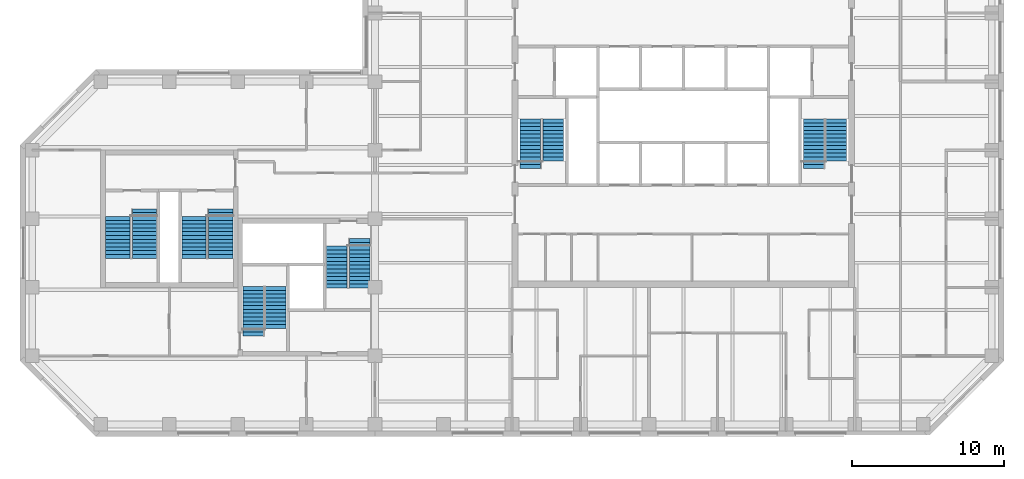
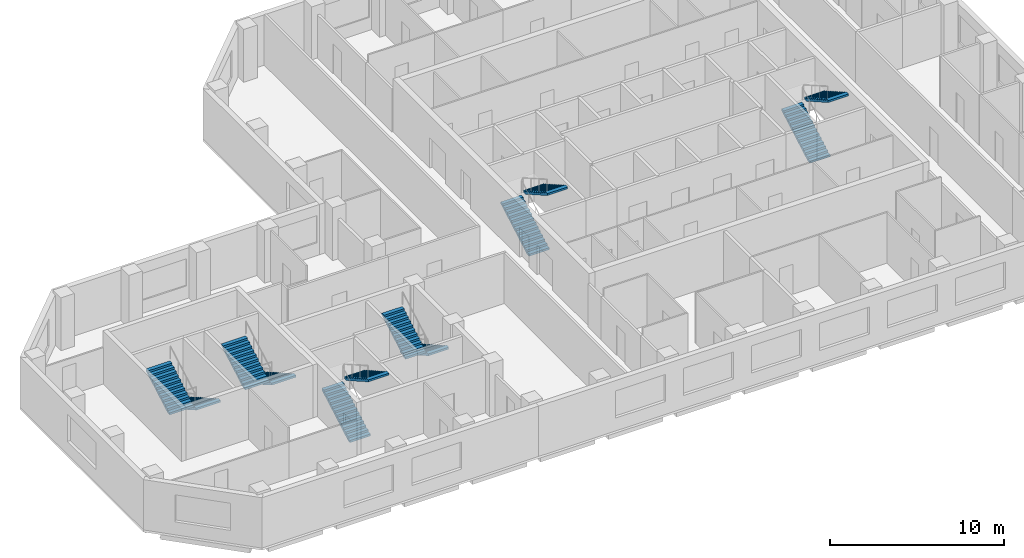
# One storey, part 8 of 9: 12 stair flights, 6 elements without a shape of their own.
"""IFC4 building model written with IfcOpenShell, lengths in metres."""

from ifc_helpers import new_model, si_unit, direction, frame, origin, place, context, subcontext, project, spatial, polyline, outline, extrude, material, type_object, element, aggregate, save


model = new_model("IFC4")

# Units and contexts
model_context = context("Model", 3, precision=1e-05, world=origin(), true_north=direction((0.0, 1.0)))
body_context = subcontext(model_context, "Body", "Model", "MODEL_VIEW")
ifc_project = project(units=[si_unit("LENGTHUNIT", "METRE"), si_unit("AREAUNIT", "SQUARE_METRE"), si_unit("VOLUMEUNIT", "CUBIC_METRE"), si_unit("PLANEANGLEUNIT", "RADIAN"), si_unit("MASSUNIT", "GRAM", prefix="KILO")], contexts=[model_context])

# Site, building, storey
site_placement = place(None, origin())
site = spatial("IfcSite", under=ifc_project, at=site_placement, CompositionType="ELEMENT")
building_placement = place(site_placement, origin())
building = spatial("IfcBuilding", under=site, at=building_placement, Name="Quoin Convention Tower", CompositionType="ELEMENT")
storey_placement = place(building_placement, frame((0.0, 0.0, 241.5)))
storey = spatial("IfcBuildingStorey", under=building, at=storey_placement, Name="L63", CompositionType="ELEMENT", Elevation=241.5)

# Stair, stair flights
ifc_material = material(Name="Concrete C40", Category="concrete")
stair_type_1 = type_object("IfcStairType", Name="Exit stair two-flight 1350", PredefinedType="HALF_TURN_STAIR", material=ifc_material)
stair_1_placement = place(storey_placement, origin())
stair_1 = element("IfcStair", 1, at=stair_1_placement, inside=storey, type_object=stair_type_1, Name="SD1 L63", PredefinedType="HALF_TURN_STAIR")
stair_flight_type_1 = type_object("IfcStairFlightType", Name="Stair flight 1350", PredefinedType="STRAIGHT", material=ifc_material)
stair_flight_1_placement = place(storey_placement, frame((46.199951171875, 57.300048828125, 0.0), z_axis=(0.0, 0.0, 1.0), x_axis=(0.0, 1.0, 0.0)))
stair_flight_1 = element("IfcStairFlight", 2, at=stair_flight_1_placement, type_object=stair_flight_type_1, Name="ST1 flight 1", NumberOfRisers=14, NumberOfTreads=13, PredefinedType="STRAIGHT", RiserHeight=0.142307692, TreadLength=0.25, context=body_context, shape_type="SweptSolid", body=[
    extrude(outline(polyline([(0.0, 0.0), (0.0, 0.142333984375), (0.25, 0.142333984375), (0.25, 0.28466796875), (0.5, 0.28466796875), (0.5, 0.427001953125), (0.75, 0.427001953125), (0.75, 0.5693359375), (1.0, 0.5693359375), (1.0, 0.71142578125), (1.25, 0.71142578125), (1.25, 0.853759765625), (1.5, 0.853759765625), (1.5, 0.99609375), (1.75, 0.99609375), (1.75, 1.138427734375), (2.0, 1.138427734375), (2.0, 1.28076171875), (2.25, 1.28076171875), (2.25, 1.423095703125), (2.5, 1.423095703125), (2.5, 1.5654296875), (2.75, 1.5654296875), (2.75, 1.707763671875), (3.0, 1.707763671875), (3.0, 1.85009765625), (3.25, 1.85009765625), (3.25, 1.9921875), (3.25, 1.711669921875), (0.242919921875, 0.0), (0.0, 0.0)])), frame((0.0, 0.675048828125, 0.0), z_axis=(0.0, -1.0, 0.0), x_axis=(1.0, 0.0, 0.0)), (0.0, 0.0, 1.0), 1.35009765625),
])
stair_flight_2_placement = place(storey_placement, frame((47.699951171875, 60.550048828125, 1.9921875), z_axis=(0.0, 0.0, 1.0), x_axis=(0.0, -1.0, 0.0)))
stair_flight_2 = element("IfcStairFlight", 3, at=stair_flight_2_placement, type_object=stair_flight_type_1, Name="ST1 flight 2", NumberOfRisers=12, NumberOfTreads=11, PredefinedType="STRAIGHT", RiserHeight=0.142307692, TreadLength=0.25, context=body_context, shape_type="SweptSolid", body=[
    extrude(outline(polyline([(0.0, 0.0), (0.0, 0.142333984375), (0.25, 0.142333984375), (0.25, 0.28466796875), (0.5, 0.28466796875), (0.5, 0.427001953125), (0.75, 0.427001953125), (0.75, 0.5693359375), (1.0, 0.5693359375), (1.0, 0.71142578125), (1.25, 0.71142578125), (1.25, 0.853759765625), (1.5, 0.853759765625), (1.5, 0.99609375), (1.75, 0.99609375), (1.75, 1.138427734375), (2.0, 1.138427734375), (2.0, 1.28076171875), (2.25, 1.28076171875), (2.25, 1.423095703125), (2.5, 1.423095703125), (2.5, 1.5654296875), (2.75, 1.5654296875), (2.75, 1.707763671875), (2.75, 1.42724609375), (0.242919921875, 0.0), (0.0, 0.0)])), frame((0.0, 0.675048828125, 0.0), z_axis=(0.0, -1.0, 0.0), x_axis=(1.0, 0.0, 0.0)), (0.0, 0.0, 1.0), 1.35009765625),
])
aggregate(stair_1, [stair_flight_1, stair_flight_2])

stair_2_placement = place(storey_placement, origin())
stair_2 = element("IfcStair", 4, at=stair_2_placement, inside=storey, type_object=stair_type_1, Name="SD2 L63", PredefinedType="HALF_TURN_STAIR")
stair_flight_3_placement = place(storey_placement, frame((64.800048828125, 57.300048828125, 0.0), z_axis=(0.0, 0.0, 1.0), x_axis=(0.0, 1.0, 0.0)))
stair_flight_3 = element("IfcStairFlight", 5, at=stair_flight_3_placement, type_object=stair_flight_type_1, Name="ST2 flight 1", NumberOfRisers=14, NumberOfTreads=13, PredefinedType="STRAIGHT", RiserHeight=0.142307692, TreadLength=0.25, context=body_context, shape_type="SweptSolid", body=[
    extrude(outline(polyline([(0.0, 0.0), (0.0, 0.142333984375), (0.25, 0.142333984375), (0.25, 0.28466796875), (0.5, 0.28466796875), (0.5, 0.427001953125), (0.75, 0.427001953125), (0.75, 0.5693359375), (1.0, 0.5693359375), (1.0, 0.71142578125), (1.25, 0.71142578125), (1.25, 0.853759765625), (1.5, 0.853759765625), (1.5, 0.99609375), (1.75, 0.99609375), (1.75, 1.138427734375), (2.0, 1.138427734375), (2.0, 1.28076171875), (2.25, 1.28076171875), (2.25, 1.423095703125), (2.5, 1.423095703125), (2.5, 1.5654296875), (2.75, 1.5654296875), (2.75, 1.707763671875), (3.0, 1.707763671875), (3.0, 1.85009765625), (3.25, 1.85009765625), (3.25, 1.9921875), (3.25, 1.711669921875), (0.242919921875, 0.0), (0.0, 0.0)])), frame((0.0, 0.675048828125, 0.0), z_axis=(0.0, -1.0, 0.0), x_axis=(1.0, 0.0, 0.0)), (0.0, 0.0, 1.0), 1.35009765625),
])
stair_flight_4_placement = place(storey_placement, frame((66.300048828125, 60.550048828125, 1.9921875), z_axis=(0.0, 0.0, 1.0), x_axis=(0.0, -1.0, 0.0)))
stair_flight_4 = element("IfcStairFlight", 6, at=stair_flight_4_placement, type_object=stair_flight_type_1, Name="ST2 flight 2", NumberOfRisers=12, NumberOfTreads=11, PredefinedType="STRAIGHT", RiserHeight=0.142307692, TreadLength=0.25, context=body_context, shape_type="SweptSolid", body=[
    extrude(outline(polyline([(0.0, 0.0), (0.0, 0.142333984375), (0.25, 0.142333984375), (0.25, 0.28466796875), (0.5, 0.28466796875), (0.5, 0.427001953125), (0.75, 0.427001953125), (0.75, 0.5693359375), (1.0, 0.5693359375), (1.0, 0.71142578125), (1.25, 0.71142578125), (1.25, 0.853759765625), (1.5, 0.853759765625), (1.5, 0.99609375), (1.75, 0.99609375), (1.75, 1.138427734375), (2.0, 1.138427734375), (2.0, 1.28076171875), (2.25, 1.28076171875), (2.25, 1.423095703125), (2.5, 1.423095703125), (2.5, 1.5654296875), (2.75, 1.5654296875), (2.75, 1.707763671875), (2.75, 1.42724609375), (0.242919921875, 0.0), (0.0, 0.0)])), frame((0.0, 0.675048828125, 0.0), z_axis=(0.0, -1.0, 0.0), x_axis=(1.0, 0.0, 0.0)), (0.0, 0.0, 1.0), 1.35009765625),
])
aggregate(stair_2, [stair_flight_3, stair_flight_4])

stair_3_placement = place(storey_placement, origin())
stair_3 = element("IfcStair", 7, at=stair_3_placement, inside=storey, type_object=stair_type_1, Name="SD3 L63", PredefinedType="HALF_TURN_STAIR")
stair_flight_5_placement = place(storey_placement, frame((28.0, 46.300048828125, 0.0), z_axis=(0.0, 0.0, 1.0), x_axis=(0.0, 1.0, 0.0)))
stair_flight_5 = element("IfcStairFlight", 8, at=stair_flight_5_placement, type_object=stair_flight_type_1, Name="ST3 flight 1", NumberOfRisers=14, NumberOfTreads=13, PredefinedType="STRAIGHT", RiserHeight=0.142307692, TreadLength=0.25, context=body_context, shape_type="SweptSolid", body=[
    extrude(outline(polyline([(0.0, 0.0), (0.0, 0.142333984375), (0.25, 0.142333984375), (0.25, 0.28466796875), (0.5, 0.28466796875), (0.5, 0.427001953125), (0.75, 0.427001953125), (0.75, 0.5693359375), (1.0, 0.5693359375), (1.0, 0.71142578125), (1.25, 0.71142578125), (1.25, 0.853759765625), (1.5, 0.853759765625), (1.5, 0.99609375), (1.75, 0.99609375), (1.75, 1.138427734375), (2.0, 1.138427734375), (2.0, 1.28076171875), (2.25, 1.28076171875), (2.25, 1.423095703125), (2.5, 1.423095703125), (2.5, 1.5654296875), (2.75, 1.5654296875), (2.75, 1.707763671875), (3.0, 1.707763671875), (3.0, 1.85009765625), (3.25, 1.85009765625), (3.25, 1.9921875), (3.25, 1.711669921875), (0.242919921875, 0.0), (0.0, 0.0)])), frame((0.0, 0.675048828125, 0.0), z_axis=(0.0, -1.0, 0.0), x_axis=(1.0, 0.0, 0.0)), (0.0, 0.0, 1.0), 1.35009765625),
])
stair_flight_6_placement = place(storey_placement, frame((29.5, 49.550048828125, 1.9921875), z_axis=(0.0, 0.0, 1.0), x_axis=(0.0, -1.0, 0.0)))
stair_flight_6 = element("IfcStairFlight", 9, at=stair_flight_6_placement, type_object=stair_flight_type_1, Name="ST3 flight 2", NumberOfRisers=12, NumberOfTreads=11, PredefinedType="STRAIGHT", RiserHeight=0.142307692, TreadLength=0.25, context=body_context, shape_type="SweptSolid", body=[
    extrude(outline(polyline([(0.0, 0.0), (0.0, 0.142333984375), (0.25, 0.142333984375), (0.25, 0.28466796875), (0.5, 0.28466796875), (0.5, 0.427001953125), (0.75, 0.427001953125), (0.75, 0.5693359375), (1.0, 0.5693359375), (1.0, 0.71142578125), (1.25, 0.71142578125), (1.25, 0.853759765625), (1.5, 0.853759765625), (1.5, 0.99609375), (1.75, 0.99609375), (1.75, 1.138427734375), (2.0, 1.138427734375), (2.0, 1.28076171875), (2.25, 1.28076171875), (2.25, 1.423095703125), (2.5, 1.423095703125), (2.5, 1.5654296875), (2.75, 1.5654296875), (2.75, 1.707763671875), (2.75, 1.42724609375), (0.242919921875, 0.0), (0.0, 0.0)])), frame((0.0, 0.675048828125, 0.0), z_axis=(0.0, -1.0, 0.0), x_axis=(1.0, 0.0, 0.0)), (0.0, 0.0, 1.0), 1.35009765625),
])
aggregate(stair_3, [stair_flight_5, stair_flight_6])

stair_4_placement = place(storey_placement, origin())
stair_4 = element("IfcStair", 10, at=stair_4_placement, inside=storey, type_object=stair_type_1, Name="SD4 L63", PredefinedType="HALF_TURN_STAIR")
stair_flight_7_placement = place(storey_placement, frame((35.0, 52.699951171875, 0.0), z_axis=(0.0, 0.0, 1.0), x_axis=(0.0, -1.0, 0.0)))
stair_flight_7 = element("IfcStairFlight", 11, at=stair_flight_7_placement, type_object=stair_flight_type_1, Name="ST4 flight 1", NumberOfRisers=14, NumberOfTreads=13, PredefinedType="STRAIGHT", RiserHeight=0.142307692, TreadLength=0.25, context=body_context, shape_type="SweptSolid", body=[
    extrude(outline(polyline([(0.0, 0.0), (0.0, 0.142333984375), (0.25, 0.142333984375), (0.25, 0.28466796875), (0.5, 0.28466796875), (0.5, 0.427001953125), (0.75, 0.427001953125), (0.75, 0.5693359375), (1.0, 0.5693359375), (1.0, 0.71142578125), (1.25, 0.71142578125), (1.25, 0.853759765625), (1.5, 0.853759765625), (1.5, 0.99609375), (1.75, 0.99609375), (1.75, 1.138427734375), (2.0, 1.138427734375), (2.0, 1.28076171875), (2.25, 1.28076171875), (2.25, 1.423095703125), (2.5, 1.423095703125), (2.5, 1.5654296875), (2.75, 1.5654296875), (2.75, 1.707763671875), (3.0, 1.707763671875), (3.0, 1.85009765625), (3.25, 1.85009765625), (3.25, 1.9921875), (3.25, 1.711669921875), (0.242919921875, 0.0), (0.0, 0.0)])), frame((0.0, 0.675048828125, 0.0), z_axis=(0.0, -1.0, 0.0), x_axis=(1.0, 0.0, 0.0)), (0.0, 0.0, 1.0), 1.35009765625),
])
stair_flight_8_placement = place(storey_placement, frame((33.5, 49.449951171875, 1.9921875), z_axis=(0.0, 0.0, 1.0), x_axis=(0.0, 1.0, 0.0)))
stair_flight_8 = element("IfcStairFlight", 12, at=stair_flight_8_placement, type_object=stair_flight_type_1, Name="ST4 flight 2", NumberOfRisers=12, NumberOfTreads=11, PredefinedType="STRAIGHT", RiserHeight=0.142307692, TreadLength=0.25, context=body_context, shape_type="SweptSolid", body=[
    extrude(outline(polyline([(0.0, 0.0), (0.0, 0.142333984375), (0.25, 0.142333984375), (0.25, 0.28466796875), (0.5, 0.28466796875), (0.5, 0.427001953125), (0.75, 0.427001953125), (0.75, 0.5693359375), (1.0, 0.5693359375), (1.0, 0.71142578125), (1.25, 0.71142578125), (1.25, 0.853759765625), (1.5, 0.853759765625), (1.5, 0.99609375), (1.75, 0.99609375), (1.75, 1.138427734375), (2.0, 1.138427734375), (2.0, 1.28076171875), (2.25, 1.28076171875), (2.25, 1.423095703125), (2.5, 1.423095703125), (2.5, 1.5654296875), (2.75, 1.5654296875), (2.75, 1.707763671875), (2.75, 1.42724609375), (0.242919921875, 0.0), (0.0, 0.0)])), frame((0.0, 0.675048828125, 0.0), z_axis=(0.0, -1.0, 0.0), x_axis=(1.0, 0.0, 0.0)), (0.0, 0.0, 1.0), 1.35009765625),
])
aggregate(stair_4, [stair_flight_7, stair_flight_8])

stair_type_2 = type_object("IfcStairType", Name="Exit stair two-flight 1600", PredefinedType="HALF_TURN_STAIR", material=ifc_material)
stair_5_placement = place(storey_placement, origin())
stair_5 = element("IfcStair", 13, at=stair_5_placement, inside=storey, type_object=stair_type_2, Name="SD11 L63", PredefinedType="HALF_TURN_STAIR")
stair_flight_type_2 = type_object("IfcStairFlightType", Name="Stair flight 1600", PredefinedType="STRAIGHT", material=ifc_material)
stair_flight_9_placement = place(storey_placement, frame((20.875, 54.64990234375, 0.0), z_axis=(0.0, 0.0, 1.0), x_axis=(0.0, -1.0, 0.0)))
stair_flight_9 = element("IfcStairFlight", 14, at=stair_flight_9_placement, type_object=stair_flight_type_2, Name="ST11 flight 1", NumberOfRisers=14, NumberOfTreads=13, PredefinedType="STRAIGHT", RiserHeight=0.142307692, TreadLength=0.25, context=body_context, shape_type="SweptSolid", body=[
    extrude(outline(polyline([(0.0, 0.0), (0.0, 0.142333984375), (0.25, 0.142333984375), (0.25, 0.28466796875), (0.5, 0.28466796875), (0.5, 0.427001953125), (0.75, 0.427001953125), (0.75, 0.5693359375), (1.0, 0.5693359375), (1.0, 0.71142578125), (1.25, 0.71142578125), (1.25, 0.853759765625), (1.5, 0.853759765625), (1.5, 0.99609375), (1.75, 0.99609375), (1.75, 1.138427734375), (2.0, 1.138427734375), (2.0, 1.28076171875), (2.25, 1.28076171875), (2.25, 1.423095703125), (2.5, 1.423095703125), (2.5, 1.5654296875), (2.75, 1.5654296875), (2.75, 1.707763671875), (3.0, 1.707763671875), (3.0, 1.85009765625), (3.25, 1.85009765625), (3.25, 1.9921875), (3.25, 1.711669921875), (0.242919921875, 0.0), (0.0, 0.0)])), frame((0.0, 0.800048828125, 0.0), z_axis=(0.0, -1.0, 0.0), x_axis=(1.0, 0.0, 0.0)), (0.0, 0.0, 1.0), 1.60009765625),
])
stair_flight_10_placement = place(storey_placement, frame((19.125, 51.39990234375, 1.9921875), z_axis=(0.0, 0.0, 1.0), x_axis=(0.0, 1.0, 0.0)))
stair_flight_10 = element("IfcStairFlight", 15, at=stair_flight_10_placement, type_object=stair_flight_type_2, Name="ST11 flight 2", NumberOfRisers=12, NumberOfTreads=11, PredefinedType="STRAIGHT", RiserHeight=0.142307692, TreadLength=0.25, context=body_context, shape_type="SweptSolid", body=[
    extrude(outline(polyline([(0.0, 0.0), (0.0, 0.142333984375), (0.25, 0.142333984375), (0.25, 0.28466796875), (0.5, 0.28466796875), (0.5, 0.427001953125), (0.75, 0.427001953125), (0.75, 0.5693359375), (1.0, 0.5693359375), (1.0, 0.71142578125), (1.25, 0.71142578125), (1.25, 0.853759765625), (1.5, 0.853759765625), (1.5, 0.99609375), (1.75, 0.99609375), (1.75, 1.138427734375), (2.0, 1.138427734375), (2.0, 1.28076171875), (2.25, 1.28076171875), (2.25, 1.423095703125), (2.5, 1.423095703125), (2.5, 1.5654296875), (2.75, 1.5654296875), (2.75, 1.707763671875), (2.75, 1.42724609375), (0.242919921875, 0.0), (0.0, 0.0)])), frame((0.0, 0.800048828125, 0.0), z_axis=(0.0, -1.0, 0.0), x_axis=(1.0, 0.0, 0.0)), (0.0, 0.0, 1.0), 1.60009765625),
])
aggregate(stair_5, [stair_flight_9, stair_flight_10])

stair_6_placement = place(storey_placement, origin())
stair_6 = element("IfcStair", 16, at=stair_6_placement, inside=storey, type_object=stair_type_2, Name="SD12 L63", PredefinedType="HALF_TURN_STAIR")
stair_flight_11_placement = place(storey_placement, frame((25.875, 54.64990234375, 0.0), z_axis=(0.0, 0.0, 1.0), x_axis=(0.0, -1.0, 0.0)))
stair_flight_11 = element("IfcStairFlight", 17, at=stair_flight_11_placement, type_object=stair_flight_type_2, Name="ST12 flight 1", NumberOfRisers=14, NumberOfTreads=13, PredefinedType="STRAIGHT", RiserHeight=0.142307692, TreadLength=0.25, context=body_context, shape_type="SweptSolid", body=[
    extrude(outline(polyline([(0.0, 0.0), (0.0, 0.142333984375), (0.25, 0.142333984375), (0.25, 0.28466796875), (0.5, 0.28466796875), (0.5, 0.427001953125), (0.75, 0.427001953125), (0.75, 0.5693359375), (1.0, 0.5693359375), (1.0, 0.71142578125), (1.25, 0.71142578125), (1.25, 0.853759765625), (1.5, 0.853759765625), (1.5, 0.99609375), (1.75, 0.99609375), (1.75, 1.138427734375), (2.0, 1.138427734375), (2.0, 1.28076171875), (2.25, 1.28076171875), (2.25, 1.423095703125), (2.5, 1.423095703125), (2.5, 1.5654296875), (2.75, 1.5654296875), (2.75, 1.707763671875), (3.0, 1.707763671875), (3.0, 1.85009765625), (3.25, 1.85009765625), (3.25, 1.9921875), (3.25, 1.711669921875), (0.242919921875, 0.0), (0.0, 0.0)])), frame((0.0, 0.800048828125, 0.0), z_axis=(0.0, -1.0, 0.0), x_axis=(1.0, 0.0, 0.0)), (0.0, 0.0, 1.0), 1.60009765625),
])
stair_flight_12_placement = place(storey_placement, frame((24.125, 51.39990234375, 1.9921875), z_axis=(0.0, 0.0, 1.0), x_axis=(0.0, 1.0, 0.0)))
stair_flight_12 = element("IfcStairFlight", 18, at=stair_flight_12_placement, type_object=stair_flight_type_2, Name="ST12 flight 2", NumberOfRisers=12, NumberOfTreads=11, PredefinedType="STRAIGHT", RiserHeight=0.142307692, TreadLength=0.25, context=body_context, shape_type="SweptSolid", body=[
    extrude(outline(polyline([(0.0, 0.0), (0.0, 0.142333984375), (0.25, 0.142333984375), (0.25, 0.28466796875), (0.5, 0.28466796875), (0.5, 0.427001953125), (0.75, 0.427001953125), (0.75, 0.5693359375), (1.0, 0.5693359375), (1.0, 0.71142578125), (1.25, 0.71142578125), (1.25, 0.853759765625), (1.5, 0.853759765625), (1.5, 0.99609375), (1.75, 0.99609375), (1.75, 1.138427734375), (2.0, 1.138427734375), (2.0, 1.28076171875), (2.25, 1.28076171875), (2.25, 1.423095703125), (2.5, 1.423095703125), (2.5, 1.5654296875), (2.75, 1.5654296875), (2.75, 1.707763671875), (2.75, 1.42724609375), (0.242919921875, 0.0), (0.0, 0.0)])), frame((0.0, 0.800048828125, 0.0), z_axis=(0.0, -1.0, 0.0), x_axis=(1.0, 0.0, 0.0)), (0.0, 0.0, 1.0), 1.60009765625),
])
aggregate(stair_6, [stair_flight_11, stair_flight_12])

save(model, "model.ifc")
